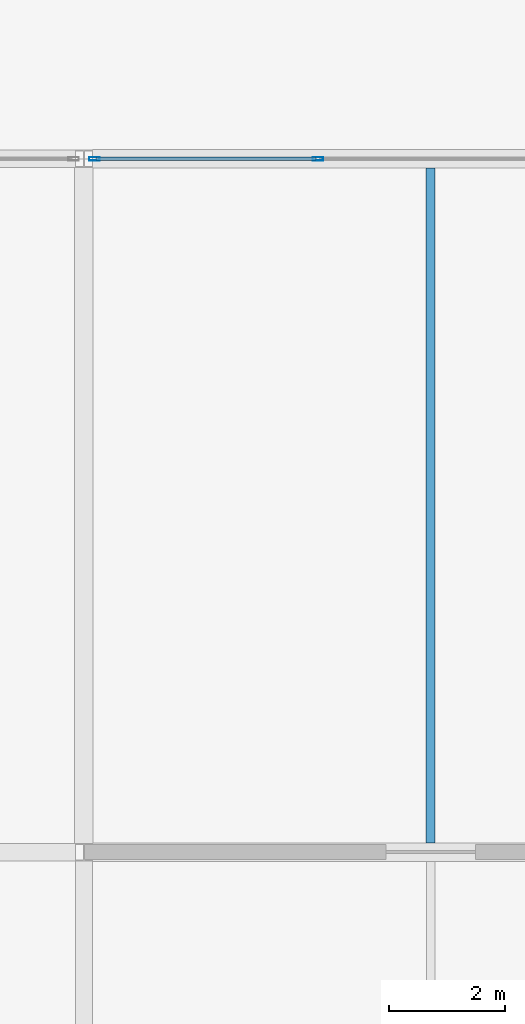
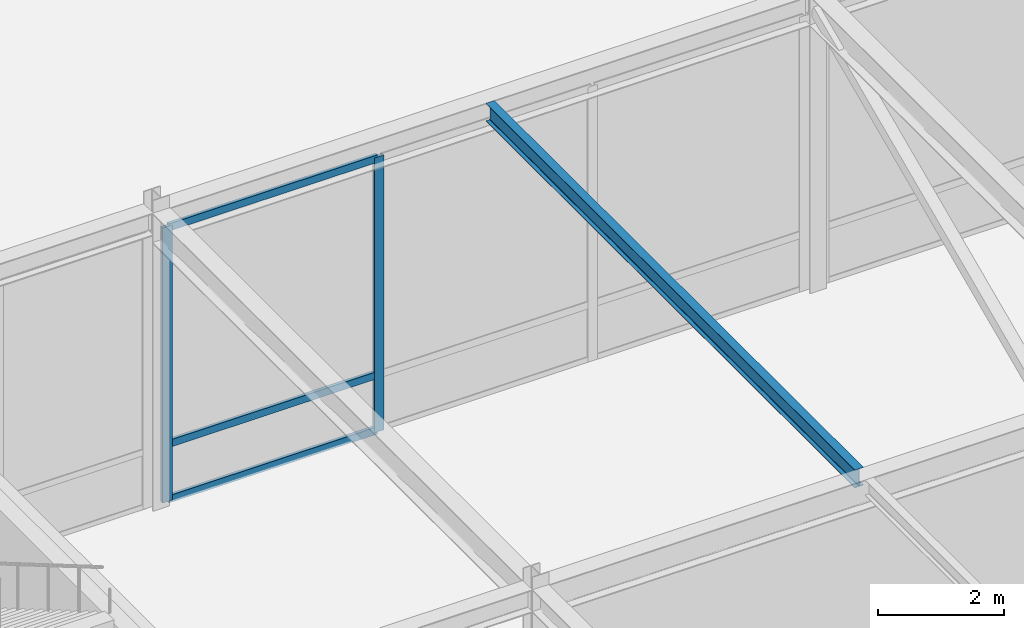
# One storey, part 30 of 108: 5 members, 1 beam, 1 element without a shape of its own.
"""IFC4 building model written with IfcOpenShell, lengths in metres."""

from ifc_helpers import new_model, si_unit, direction, frame, origin, origin_2d, place, context, subcontext, project, spatial, hollow_rectangle, i_section, extrude, material, layer, layer_set, material_profile, profile_set, type_object, element, aggregate, save


model = new_model("IFC4")

# Units and contexts
model_context = context("Model", 3, precision=1e-05, world=origin(), true_north=direction((0.0, 1.0)))
body_context = subcontext(model_context, "Body", "Model", "MODEL_VIEW")
ifc_project = project(units=[si_unit("LENGTHUNIT", "METRE"), si_unit("AREAUNIT", "SQUARE_METRE"), si_unit("VOLUMEUNIT", "CUBIC_METRE"), si_unit("PLANEANGLEUNIT", "RADIAN"), si_unit("MASSUNIT", "GRAM", prefix="KILO")], contexts=[model_context])

# Site, building, storey
site_placement = place(None, origin())
site = spatial("IfcSite", under=ifc_project, at=site_placement, CompositionType="ELEMENT")
building_placement = place(site_placement, origin())
building = spatial("IfcBuilding", under=site, at=building_placement, Name="Zlatovratsky Civic Hall", CompositionType="ELEMENT")
storey_placement = place(building_placement, frame((0.0, 0.0, 6.0)))
storey = spatial("IfcBuildingStorey", under=building, at=storey_placement, Name="L02", CompositionType="ELEMENT", Elevation=6.0)

# Curtain wall, members
ifc_material_1 = material(Name="Anodised bronze aluminium", Category="aluminium")
ifc_layer = layer(ifc_material_1, 0.159912109375)
ifc_layer_set = layer_set([ifc_layer], Name="Anodised bronze aluminium")
curtain_wall_type = type_object("IfcCurtainWallType", Name="CurtainWall_Bronze_11700x5310_05", PredefinedType="NOTDEFINED", material=ifc_layer_set)
curtain_wall_placement = place(storey_placement, origin())
curtain_wall = element("IfcCurtainWall", 1, at=curtain_wall_placement, inside=storey, type_object=curtain_wall_type, Name="CW-010", PredefinedType="NOTDEFINED")
ifc_material_profile_1 = material_profile(ifc_material_1, hollow_rectangle(XDim=0.06005859375, YDim=0.179931640625, WallThickness=0.00390625, at=origin_2d()), Name="ALU 60x180x4")
ifc_profile_set_1 = profile_set([ifc_material_profile_1], Name="Anodised bronze aluminium")
member_type_1 = type_object("IfcMemberType", Name="CW_Mullion_60x180", PredefinedType="MULLION", material=ifc_profile_set_1)
member_1_placement = place(storey_placement, frame((24.179931640625, 30.0, 0.0), z_axis=(0.0, 0.0, 1.0), x_axis=(0.0, 1.0, 0.0)))
member_1 = element("IfcMember", 2, at=member_1_placement, type_object=member_type_1, Name="CW-05 mullion 1", PredefinedType="MULLION", context=body_context, shape_type="SweptSolid", body=[
    extrude(hollow_rectangle(XDim=0.06005859375, YDim=0.179931640625, WallThickness=0.00390625, at=origin_2d()), origin(), (0.0, 0.0, 1.0), 5.31005859375),
])
member_2_placement = place(storey_placement, frame((28.050048828125, 30.0, 0.0), z_axis=(0.0, 0.0, 1.0), x_axis=(0.0, 1.0, 0.0)))
member_2 = element("IfcMember", 3, at=member_2_placement, type_object=member_type_1, Name="CW-05 mullion 2", PredefinedType="MULLION", context=body_context, shape_type="SweptSolid", body=[
    extrude(hollow_rectangle(XDim=0.06005859375, YDim=0.179931640625, WallThickness=0.00390625, at=origin_2d()), origin(), (0.0, 0.0, 1.0), 5.31005859375),
])
ifc_material_profile_2 = material_profile(ifc_material_1, hollow_rectangle(XDim=0.06005859375, YDim=0.139892578125, WallThickness=0.00390625, at=origin_2d()), Name="ALU 60x140x4")
ifc_profile_set_2 = profile_set([ifc_material_profile_2], Name="Anodised bronze aluminium")
member_type_2 = type_object("IfcMemberType", Name="CW_Transom_60x140", PredefinedType="USERDEFINED", material=ifc_profile_set_2)
member_3_placement = place(storey_placement, frame((24.2099609375, 30.0, 0.030029296875), z_axis=(1.0, 0.0, 0.0), x_axis=(0.0, 1.0, 0.0)))
member_3 = element("IfcMember", 4, at=member_3_placement, type_object=member_type_2, Name="CW-05 transom 1.1", ObjectType="TRANSOM", PredefinedType="USERDEFINED", context=body_context, shape_type="SweptSolid", body=[
    extrude(hollow_rectangle(XDim=0.06005859375, YDim=0.139892578125, WallThickness=0.00390625, at=origin_2d()), origin(), (0.0, 0.0, 1.0), 3.81005859375),
])
member_4_placement = place(storey_placement, frame((24.2099609375, 30.0, 1.10009765625), z_axis=(1.0, 0.0, 0.0), x_axis=(0.0, 1.0, 0.0)))
member_4 = element("IfcMember", 5, at=member_4_placement, type_object=member_type_2, Name="CW-05 transom 1.2", ObjectType="TRANSOM", PredefinedType="USERDEFINED", context=body_context, shape_type="SweptSolid", body=[
    extrude(hollow_rectangle(XDim=0.06005859375, YDim=0.139892578125, WallThickness=0.00390625, at=origin_2d()), origin(), (0.0, 0.0, 1.0), 3.81005859375),
])
member_5_placement = place(storey_placement, frame((24.2099609375, 30.0, 5.280029296875), z_axis=(1.0, 0.0, 0.0), x_axis=(0.0, 1.0, 0.0)))
member_5 = element("IfcMember", 6, at=member_5_placement, type_object=member_type_2, Name="CW-05 transom 1.3", ObjectType="TRANSOM", PredefinedType="USERDEFINED", context=body_context, shape_type="SweptSolid", body=[
    extrude(hollow_rectangle(XDim=0.06005859375, YDim=0.139892578125, WallThickness=0.00390625, at=origin_2d()), origin(), (0.0, 0.0, 1.0), 3.81005859375),
])
aggregate(curtain_wall, [member_1, member_2, member_3, member_4, member_5])

# Beam
ifc_material_2 = material(Name="Steel S355", Category="steel")
ifc_material_profile_3 = material_profile(ifc_material_2, i_section(OverallWidth=0.155029296875, OverallDepth=0.345947265625, WebThickness=0.006103515625, FlangeThickness=0.008544921875, FilletRadius=0.013916015625, at=origin_2d()), Name="35B1")
ifc_profile_set_3 = profile_set([ifc_material_profile_3], Name="Steel S355")
beam_type = type_object("IfcBeamType", Name="Joist_Podium_35B1", PredefinedType="JOIST", material=ifc_profile_set_3)
beam_placement = place(storey_placement, frame((30.0, 18.159912109375, 5.5869140625), z_axis=(0.0, 1.0, 0.0), x_axis=(-1.0, 0.0, 0.0)))
element("IfcBeam", 7, at=beam_placement, inside=storey, type_object=beam_type, Name="BM-2402", PredefinedType="JOIST", context=body_context, shape_type="SweptSolid", body=[
    extrude(i_section(OverallWidth=0.155029296875, OverallDepth=0.345947265625, WebThickness=0.006103515625, FlangeThickness=0.008544921875, FilletRadius=0.013916015625, at=origin_2d()), origin(), (0.0, 0.0, 1.0), 11.68017578125),
])

save(model, "model.ifc")
